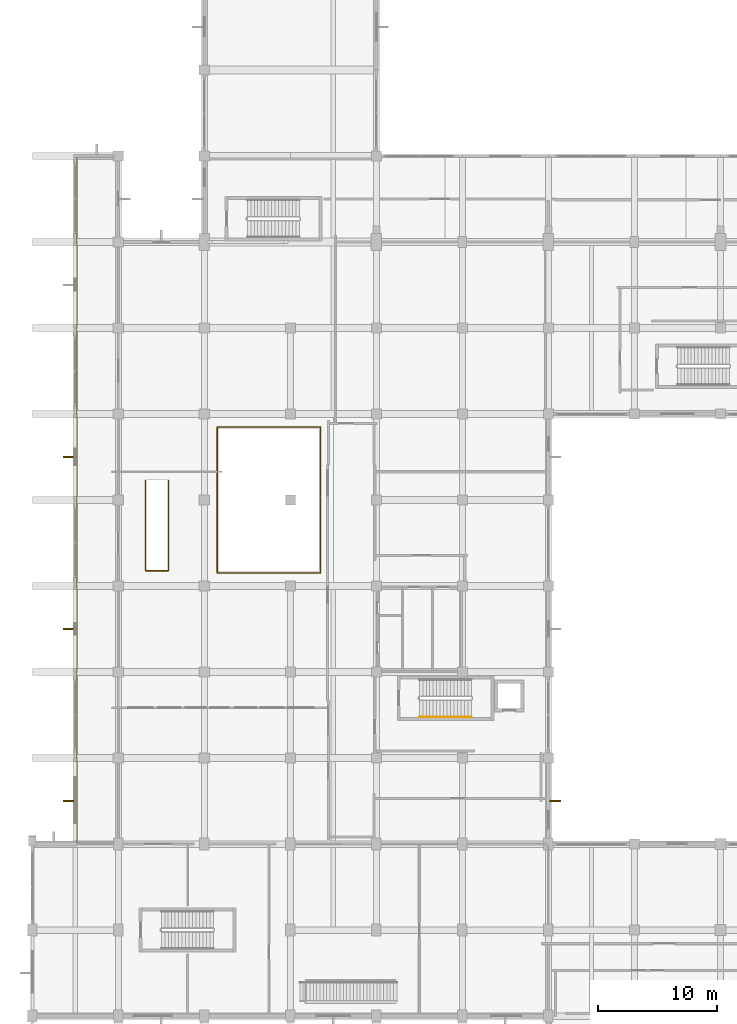
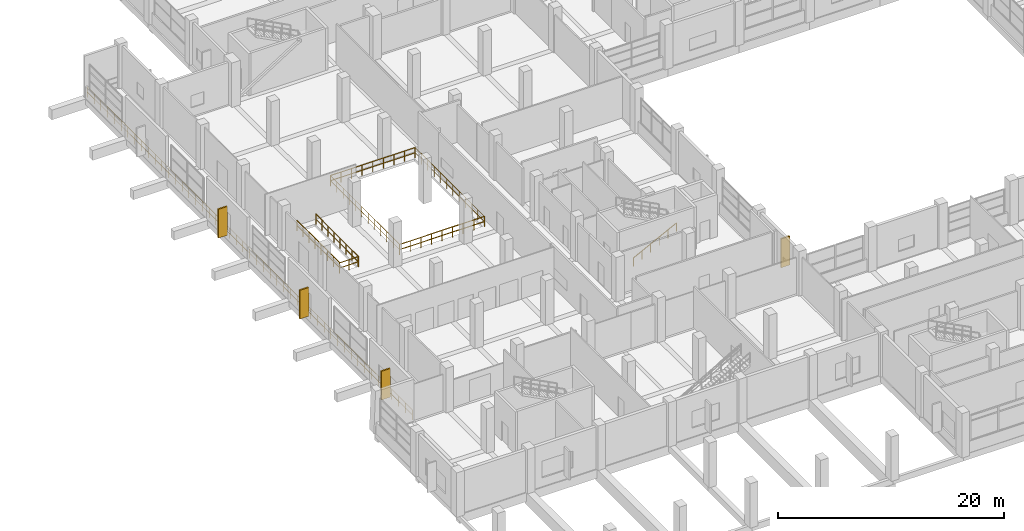
# One storey, part 172 of 181: 9 railings, 4 shading devices.
"""IFC4 building model written with IfcOpenShell, lengths in metres."""

from ifc_helpers import new_model, si_unit, direction, frame, origin, origin_2d, place, context, subcontext, project, spatial, rectangle, circle, extrude, material, type_object, element, save


model = new_model("IFC4")

# Units and contexts
model_context = context("Model", 3, precision=1e-05, world=origin(), true_north=direction((0.0, 1.0)))
body_context = subcontext(model_context, "Body", "Model", "MODEL_VIEW")
ifc_project = project(units=[si_unit("LENGTHUNIT", "METRE"), si_unit("AREAUNIT", "SQUARE_METRE"), si_unit("VOLUMEUNIT", "CUBIC_METRE"), si_unit("PLANEANGLEUNIT", "RADIAN"), si_unit("MASSUNIT", "GRAM", prefix="KILO")], contexts=[model_context])

# Site, building, storey
site_placement = place(None, origin())
site = spatial("IfcSite", under=ifc_project, at=site_placement, CompositionType="ELEMENT")
building_placement = place(site_placement, origin())
building = spatial("IfcBuilding", under=site, at=building_placement, Name="Seraya Terrace Polytechnic", CompositionType="ELEMENT")
storey_placement = place(building_placement, frame((0.0, 0.0, 4.800048828125)))
storey = spatial("IfcBuildingStorey", under=building, at=storey_placement, Name="L01", CompositionType="ELEMENT", Elevation=4.800048828125)

# Shading devices
ifc_material_1 = material(Name="Precast concrete C40/50", Category="concrete")
shading_device_type = type_object("IfcShadingDeviceType", Name="BS-F1", PredefinedType="JALOUSIE", material=ifc_material_1)
for number, where, z_axis, x_axis, name in (
    (1, (3.02001953125, 32.39990234375, 0.449951171875), (0.0, 0.0, 1.0), (-1.0, 0.0, 0.0), "Precast concrete brise-soleil fin L01"),
    (2, (3.02001953125, 46.800048828125, 0.449951171875), (0.0, 0.0, 1.0), (-1.0, 0.0, 0.0), "Precast concrete brise-soleil fin L01"),
    (3, (3.02001953125, 61.199951171875, 0.449951171875), (0.0, 0.0, 1.0), (-1.0, 0.0, 0.0), "Precast concrete brise-soleil fin L01"),
    (4, (43.780029296875, 32.39990234375, 0.449951171875), (0.0, 0.0, 1.0), (1.0, 0.0, 0.0), "Precast concrete brise-soleil fin L01"),
):
    element("IfcShadingDevice", number, at=place(storey_placement, frame(where, z_axis=z_axis, x_axis=x_axis)), inside=storey, type_object=shading_device_type, Name=name, PredefinedType="JALOUSIE", context=body_context, shape_type="SweptSolid", body=[
        extrude(rectangle(XDim=0.89990234375, YDim=0.14990234375, at=origin_2d()), origin(), (0.0, 0.0, 1.0), 3.10009765625),
    ])

# Railings
ifc_material_2 = material(Name="Steel S355J2", Category="steel")
railing_type_1 = type_object("IfcRailingType", Name="GR-01", PredefinedType="GUARDRAIL", material=ifc_material_2)
railing_1_placement = place(storey_placement, frame((3.719970703125, 28.919921875, 0.0)))
element("IfcRailing", 5, at=railing_1_placement, inside=storey, type_object=railing_type_1, Name="Colonnade gallery guardrail GR-L01-COL-W", PredefinedType="GUARDRAIL", context=body_context, shape_type="SweptSolid", body=[
    extrude(circle(Radius=0.02392578125, at=origin_2d()), frame((0.0, 0.0, 1.10595703125), z_axis=(0.0, 1.0, 0.0), x_axis=(-1.0, 0.0, 0.0)), (0.0, 0.0, 1.0), 57.360107421875),
    extrude(circle(Radius=0.02392578125, at=origin_2d()), frame((0.0, 0.0, 0.550048828125), z_axis=(0.0, 1.0, 0.0), x_axis=(-1.0, 0.0, 0.0)), (0.0, 0.0, 1.0), 57.360107421875),
    extrude(circle(Radius=0.02099609375, at=origin_2d()), origin(), (0.0, 0.0, 1.0), 1.081787109375),
    extrude(circle(Radius=0.02099609375, at=origin_2d()), frame((0.0, 1.195068359375, 0.0)), (0.0, 0.0, 1.0), 1.081787109375),
    extrude(circle(Radius=0.02099609375, at=origin_2d()), frame((0.0, 2.389892578125, 0.0)), (0.0, 0.0, 1.0), 1.081787109375),
    extrude(circle(Radius=0.02099609375, at=origin_2d()), frame((0.0, 3.5849609375, 0.0)), (0.0, 0.0, 1.0), 1.081787109375),
    extrude(circle(Radius=0.02099609375, at=origin_2d()), frame((0.0, 4.780029296875, 0.0)), (0.0, 0.0, 1.0), 1.081787109375),
    extrude(circle(Radius=0.02099609375, at=origin_2d()), frame((0.0, 5.97509765625, 0.0)), (0.0, 0.0, 1.0), 1.081787109375),
    extrude(circle(Radius=0.02099609375, at=origin_2d()), frame((0.0, 7.169921875, 0.0)), (0.0, 0.0, 1.0), 1.081787109375),
    extrude(circle(Radius=0.02099609375, at=origin_2d()), frame((0.0, 8.364990234375, 0.0)), (0.0, 0.0, 1.0), 1.081787109375),
    extrude(circle(Radius=0.02099609375, at=origin_2d()), frame((0.0, 9.56005859375, 0.0)), (0.0, 0.0, 1.0), 1.081787109375),
    extrude(circle(Radius=0.02099609375, at=origin_2d()), frame((0.0, 10.755126953125, 0.0)), (0.0, 0.0, 1.0), 1.081787109375),
    extrude(circle(Radius=0.02099609375, at=origin_2d()), frame((0.0, 11.949951171875, 0.0)), (0.0, 0.0, 1.0), 1.081787109375),
    extrude(circle(Radius=0.02099609375, at=origin_2d()), frame((0.0, 13.14501953125, 0.0)), (0.0, 0.0, 1.0), 1.081787109375),
    extrude(circle(Radius=0.02099609375, at=origin_2d()), frame((0.0, 14.340087890625, 0.0)), (0.0, 0.0, 1.0), 1.081787109375),
    extrude(circle(Radius=0.02099609375, at=origin_2d()), frame((0.0, 15.534912109375, 0.0)), (0.0, 0.0, 1.0), 1.081787109375),
    extrude(circle(Radius=0.02099609375, at=origin_2d()), frame((0.0, 16.72998046875, 0.0)), (0.0, 0.0, 1.0), 1.081787109375),
    extrude(circle(Radius=0.02099609375, at=origin_2d()), frame((0.0, 17.925048828125, 0.0)), (0.0, 0.0, 1.0), 1.081787109375),
    extrude(circle(Radius=0.02099609375, at=origin_2d()), frame((0.0, 19.1201171875, 0.0)), (0.0, 0.0, 1.0), 1.081787109375),
    extrude(circle(Radius=0.02099609375, at=origin_2d()), frame((0.0, 20.31494140625, 0.0)), (0.0, 0.0, 1.0), 1.081787109375),
    extrude(circle(Radius=0.02099609375, at=origin_2d()), frame((0.0, 21.510009765625, 0.0)), (0.0, 0.0, 1.0), 1.081787109375),
    extrude(circle(Radius=0.02099609375, at=origin_2d()), frame((0.0, 22.705078125, 0.0)), (0.0, 0.0, 1.0), 1.081787109375),
    extrude(circle(Radius=0.02099609375, at=origin_2d()), frame((0.0, 23.900146484375, 0.0)), (0.0, 0.0, 1.0), 1.081787109375),
    extrude(circle(Radius=0.02099609375, at=origin_2d()), frame((0.0, 25.094970703125, 0.0)), (0.0, 0.0, 1.0), 1.081787109375),
    extrude(circle(Radius=0.02099609375, at=origin_2d()), frame((0.0, 26.2900390625, 0.0)), (0.0, 0.0, 1.0), 1.081787109375),
    extrude(circle(Radius=0.02099609375, at=origin_2d()), frame((0.0, 27.485107421875, 0.0)), (0.0, 0.0, 1.0), 1.081787109375),
    extrude(circle(Radius=0.02099609375, at=origin_2d()), frame((0.0, 28.68017578125, 0.0)), (0.0, 0.0, 1.0), 1.081787109375),
    extrude(circle(Radius=0.02099609375, at=origin_2d()), frame((0.0, 29.875, 0.0)), (0.0, 0.0, 1.0), 1.081787109375),
    extrude(circle(Radius=0.02099609375, at=origin_2d()), frame((0.0, 31.070068359375, 0.0)), (0.0, 0.0, 1.0), 1.081787109375),
    extrude(circle(Radius=0.02099609375, at=origin_2d()), frame((0.0, 32.26513671875, 0.0)), (0.0, 0.0, 1.0), 1.081787109375),
    extrude(circle(Radius=0.02099609375, at=origin_2d()), frame((0.0, 33.4599609375, 0.0)), (0.0, 0.0, 1.0), 1.081787109375),
    extrude(circle(Radius=0.02099609375, at=origin_2d()), frame((0.0, 34.655029296875, 0.0)), (0.0, 0.0, 1.0), 1.081787109375),
    extrude(circle(Radius=0.02099609375, at=origin_2d()), frame((0.0, 35.85009765625, 0.0)), (0.0, 0.0, 1.0), 1.081787109375),
    extrude(circle(Radius=0.02099609375, at=origin_2d()), frame((0.0, 37.045166015625, 0.0)), (0.0, 0.0, 1.0), 1.081787109375),
    extrude(circle(Radius=0.02099609375, at=origin_2d()), frame((0.0, 38.239990234375, 0.0)), (0.0, 0.0, 1.0), 1.081787109375),
    extrude(circle(Radius=0.02099609375, at=origin_2d()), frame((0.0, 39.43505859375, 0.0)), (0.0, 0.0, 1.0), 1.081787109375),
    extrude(circle(Radius=0.02099609375, at=origin_2d()), frame((0.0, 40.630126953125, 0.0)), (0.0, 0.0, 1.0), 1.081787109375),
    extrude(circle(Radius=0.02099609375, at=origin_2d()), frame((0.0, 41.8251953125, 0.0)), (0.0, 0.0, 1.0), 1.081787109375),
    extrude(circle(Radius=0.02099609375, at=origin_2d()), frame((0.0, 43.02001953125, 0.0)), (0.0, 0.0, 1.0), 1.081787109375),
    extrude(circle(Radius=0.02099609375, at=origin_2d()), frame((0.0, 44.215087890625, 0.0)), (0.0, 0.0, 1.0), 1.081787109375),
    extrude(circle(Radius=0.02099609375, at=origin_2d()), frame((0.0, 45.41015625, 0.0)), (0.0, 0.0, 1.0), 1.081787109375),
    extrude(circle(Radius=0.02099609375, at=origin_2d()), frame((0.0, 46.60498046875, 0.0)), (0.0, 0.0, 1.0), 1.081787109375),
    extrude(circle(Radius=0.02099609375, at=origin_2d()), frame((0.0, 47.800048828125, 0.0)), (0.0, 0.0, 1.0), 1.081787109375),
    extrude(circle(Radius=0.02099609375, at=origin_2d()), frame((0.0, 48.9951171875, 0.0)), (0.0, 0.0, 1.0), 1.081787109375),
    extrude(circle(Radius=0.02099609375, at=origin_2d()), frame((0.0, 50.190185546875, 0.0)), (0.0, 0.0, 1.0), 1.081787109375),
    extrude(circle(Radius=0.02099609375, at=origin_2d()), frame((0.0, 51.385009765625, 0.0)), (0.0, 0.0, 1.0), 1.081787109375),
    extrude(circle(Radius=0.02099609375, at=origin_2d()), frame((0.0, 52.580078125, 0.0)), (0.0, 0.0, 1.0), 1.081787109375),
    extrude(circle(Radius=0.02099609375, at=origin_2d()), frame((0.0, 53.775146484375, 0.0)), (0.0, 0.0, 1.0), 1.081787109375),
    extrude(circle(Radius=0.02099609375, at=origin_2d()), frame((0.0, 54.97021484375, 0.0)), (0.0, 0.0, 1.0), 1.081787109375),
    extrude(circle(Radius=0.02099609375, at=origin_2d()), frame((0.0, 56.1650390625, 0.0)), (0.0, 0.0, 1.0), 1.081787109375),
    extrude(circle(Radius=0.02099609375, at=origin_2d()), frame((0.0, 57.360107421875, 0.0)), (0.0, 0.0, 1.0), 1.081787109375),
])
railing_type_2 = type_object("IfcRailingType", Name="GR-02", PredefinedType="GUARDRAIL", material=ifc_material_2)
railing_2_placement = place(storey_placement, frame((9.47998046875, 51.679931640625, 0.0)))
element("IfcRailing", 6, at=railing_2_placement, inside=storey, type_object=railing_type_2, Name="ST-12 top opening guard L01.1", PredefinedType="GUARDRAIL", context=body_context, shape_type="SweptSolid", body=[
    extrude(circle(Radius=0.02392578125, at=origin_2d()), frame((0.0, 0.0, 1.10595703125), z_axis=(1.0, 0.0, 0.0), x_axis=(0.0, 1.0, 0.0)), (0.0, 0.0, 1.0), 1.919921875),
    extrude(circle(Radius=0.02392578125, at=origin_2d()), frame((0.0, 0.0, 0.550048828125), z_axis=(1.0, 0.0, 0.0), x_axis=(0.0, 1.0, 0.0)), (0.0, 0.0, 1.0), 1.919921875),
    extrude(circle(Radius=0.02099609375, at=origin_2d()), origin(), (0.0, 0.0, 1.0), 1.081787109375),
    extrude(circle(Radius=0.02099609375, at=origin_2d()), frame((0.9599609375, 0.0, 0.0)), (0.0, 0.0, 1.0), 1.081787109375),
    extrude(circle(Radius=0.02099609375, at=origin_2d()), frame((1.919921875, 0.0, 0.0)), (0.0, 0.0, 1.0), 1.081787109375),
])
for number, where, name in (
    (7, (9.47998046875, 51.739990234375, 0.0), "ST-12 top opening guard L01.2"),
    (8, (11.39990234375, 51.739990234375, 0.0), "ST-12 top opening guard L01.3"),
):
    element("IfcRailing", number, at=place(storey_placement, frame(where)), inside=storey, type_object=railing_type_2, Name=name, PredefinedType="GUARDRAIL", context=body_context, shape_type="SweptSolid", body=[
        extrude(circle(Radius=0.02392578125, at=origin_2d()), frame((0.0, 0.0, 1.10595703125), z_axis=(0.0, 1.0, 0.0), x_axis=(-1.0, 0.0, 0.0)), (0.0, 0.0, 1.0), 7.47998046875),
        extrude(circle(Radius=0.02392578125, at=origin_2d()), frame((0.0, 0.0, 0.550048828125), z_axis=(0.0, 1.0, 0.0), x_axis=(-1.0, 0.0, 0.0)), (0.0, 0.0, 1.0), 7.47998046875),
        extrude(circle(Radius=0.02099609375, at=origin_2d()), origin(), (0.0, 0.0, 1.0), 1.081787109375),
        extrude(circle(Radius=0.02099609375, at=origin_2d()), frame((0.0, 1.068603515625, 0.0)), (0.0, 0.0, 1.0), 1.081787109375),
        extrude(circle(Radius=0.02099609375, at=origin_2d()), frame((0.0, 2.13720703125, 0.0)), (0.0, 0.0, 1.0), 1.081787109375),
        extrude(circle(Radius=0.02099609375, at=origin_2d()), frame((0.0, 3.205810546875, 0.0)), (0.0, 0.0, 1.0), 1.081787109375),
        extrude(circle(Radius=0.02099609375, at=origin_2d()), frame((0.0, 4.274169921875, 0.0)), (0.0, 0.0, 1.0), 1.081787109375),
        extrude(circle(Radius=0.02099609375, at=origin_2d()), frame((0.0, 5.3427734375, 0.0)), (0.0, 0.0, 1.0), 1.081787109375),
        extrude(circle(Radius=0.02099609375, at=origin_2d()), frame((0.0, 6.411376953125, 0.0)), (0.0, 0.0, 1.0), 1.081787109375),
        extrude(circle(Radius=0.02099609375, at=origin_2d()), frame((0.0, 7.47998046875, 0.0)), (0.0, 0.0, 1.0), 1.081787109375),
    ])
for number, where, name in (
    (9, (15.47998046875, 51.47998046875, 0.0), "Atrium void perimeter guardrail VOID-FOYER-L01 S"),
    (10, (15.47998046875, 63.719970703125, 0.0), "Atrium void perimeter guardrail VOID-FOYER-L01 N"),
):
    element("IfcRailing", number, at=place(storey_placement, frame(where)), inside=storey, type_object=railing_type_2, Name=name, PredefinedType="GUARDRAIL", context=body_context, shape_type="SweptSolid", body=[
        extrude(circle(Radius=0.02392578125, at=origin_2d()), frame((0.0, 0.0, 1.10595703125), z_axis=(1.0, 0.0, 0.0), x_axis=(0.0, 1.0, 0.0)), (0.0, 0.0, 1.0), 8.64013671875),
        extrude(circle(Radius=0.02392578125, at=origin_2d()), frame((0.0, 0.0, 0.550048828125), z_axis=(1.0, 0.0, 0.0), x_axis=(0.0, 1.0, 0.0)), (0.0, 0.0, 1.0), 8.64013671875),
        extrude(circle(Radius=0.02099609375, at=origin_2d()), origin(), (0.0, 0.0, 1.0), 1.081787109375),
        extrude(circle(Radius=0.02099609375, at=origin_2d()), frame((1.080078125, 0.0, 0.0)), (0.0, 0.0, 1.0), 1.081787109375),
        extrude(circle(Radius=0.02099609375, at=origin_2d()), frame((2.16015625, 0.0, 0.0)), (0.0, 0.0, 1.0), 1.081787109375),
        extrude(circle(Radius=0.02099609375, at=origin_2d()), frame((3.239990234375, 0.0, 0.0)), (0.0, 0.0, 1.0), 1.081787109375),
        extrude(circle(Radius=0.02099609375, at=origin_2d()), frame((4.320068359375, 0.0, 0.0)), (0.0, 0.0, 1.0), 1.081787109375),
        extrude(circle(Radius=0.02099609375, at=origin_2d()), frame((5.400146484375, 0.0, 0.0)), (0.0, 0.0, 1.0), 1.081787109375),
        extrude(circle(Radius=0.02099609375, at=origin_2d()), frame((6.47998046875, 0.0, 0.0)), (0.0, 0.0, 1.0), 1.081787109375),
        extrude(circle(Radius=0.02099609375, at=origin_2d()), frame((7.56005859375, 0.0, 0.0)), (0.0, 0.0, 1.0), 1.081787109375),
        extrude(circle(Radius=0.02099609375, at=origin_2d()), frame((8.64013671875, 0.0, 0.0)), (0.0, 0.0, 1.0), 1.081787109375),
    ])
railing_3_placement = place(storey_placement, frame((15.47998046875, 51.5400390625, 0.0)))
element("IfcRailing", 11, at=railing_3_placement, inside=storey, type_object=railing_type_2, Name="Atrium void perimeter guardrail VOID-FOYER-L01 W", PredefinedType="GUARDRAIL", context=body_context, shape_type="SweptSolid", body=[
    extrude(circle(Radius=0.02392578125, at=origin_2d()), frame((0.0, 0.0, 1.10595703125), z_axis=(0.0, 1.0, 0.0), x_axis=(-1.0, 0.0, 0.0)), (0.0, 0.0, 1.0), 12.119873046875),
    extrude(circle(Radius=0.02392578125, at=origin_2d()), frame((0.0, 0.0, 0.550048828125), z_axis=(0.0, 1.0, 0.0), x_axis=(-1.0, 0.0, 0.0)), (0.0, 0.0, 1.0), 12.119873046875),
    extrude(circle(Radius=0.02099609375, at=origin_2d()), origin(), (0.0, 0.0, 1.0), 1.081787109375),
    extrude(circle(Radius=0.02099609375, at=origin_2d()), frame((0.0, 1.101806640625, 0.0)), (0.0, 0.0, 1.0), 1.081787109375),
    extrude(circle(Radius=0.02099609375, at=origin_2d()), frame((0.0, 2.20361328125, 0.0)), (0.0, 0.0, 1.0), 1.081787109375),
    extrude(circle(Radius=0.02099609375, at=origin_2d()), frame((0.0, 3.305419921875, 0.0)), (0.0, 0.0, 1.0), 1.081787109375),
    extrude(circle(Radius=0.02099609375, at=origin_2d()), frame((0.0, 4.4072265625, 0.0)), (0.0, 0.0, 1.0), 1.081787109375),
    extrude(circle(Radius=0.02099609375, at=origin_2d()), frame((0.0, 5.509033203125, 0.0)), (0.0, 0.0, 1.0), 1.081787109375),
    extrude(circle(Radius=0.02099609375, at=origin_2d()), frame((0.0, 6.61083984375, 0.0)), (0.0, 0.0, 1.0), 1.081787109375),
    extrude(circle(Radius=0.02099609375, at=origin_2d()), frame((0.0, 7.712646484375, 0.0)), (0.0, 0.0, 1.0), 1.081787109375),
    extrude(circle(Radius=0.02099609375, at=origin_2d()), frame((0.0, 8.814453125, 0.0)), (0.0, 0.0, 1.0), 1.081787109375),
    extrude(circle(Radius=0.02099609375, at=origin_2d()), frame((0.0, 9.916259765625, 0.0)), (0.0, 0.0, 1.0), 1.081787109375),
    extrude(circle(Radius=0.02099609375, at=origin_2d()), frame((0.0, 11.01806640625, 0.0)), (0.0, 0.0, 1.0), 1.081787109375),
    extrude(circle(Radius=0.02099609375, at=origin_2d()), frame((0.0, 12.119873046875, 0.0)), (0.0, 0.0, 1.0), 1.081787109375),
])
railing_4_placement = place(storey_placement, frame((24.1201171875, 51.5400390625, 0.0)))
element("IfcRailing", 12, at=railing_4_placement, inside=storey, type_object=railing_type_2, Name="Atrium void perimeter guardrail VOID-FOYER-L01 E", PredefinedType="GUARDRAIL", context=body_context, shape_type="SweptSolid", body=[
    extrude(circle(Radius=0.02392578125, at=origin_2d()), frame((0.0, 0.0, 1.10595703125), z_axis=(0.0, 1.0, 0.0), x_axis=(-1.0, 0.0, 0.0)), (0.0, 0.0, 1.0), 12.119873046875),
    extrude(circle(Radius=0.02392578125, at=origin_2d()), frame((0.0, 0.0, 0.550048828125), z_axis=(0.0, 1.0, 0.0), x_axis=(-1.0, 0.0, 0.0)), (0.0, 0.0, 1.0), 12.119873046875),
    extrude(circle(Radius=0.02099609375, at=origin_2d()), origin(), (0.0, 0.0, 1.0), 1.081787109375),
    extrude(circle(Radius=0.02099609375, at=origin_2d()), frame((0.0, 1.101806640625, 0.0)), (0.0, 0.0, 1.0), 1.081787109375),
    extrude(circle(Radius=0.02099609375, at=origin_2d()), frame((0.0, 2.20361328125, 0.0)), (0.0, 0.0, 1.0), 1.081787109375),
    extrude(circle(Radius=0.02099609375, at=origin_2d()), frame((0.0, 3.305419921875, 0.0)), (0.0, 0.0, 1.0), 1.081787109375),
    extrude(circle(Radius=0.02099609375, at=origin_2d()), frame((0.0, 4.4072265625, 0.0)), (0.0, 0.0, 1.0), 1.081787109375),
    extrude(circle(Radius=0.02099609375, at=origin_2d()), frame((0.0, 5.509033203125, 0.0)), (0.0, 0.0, 1.0), 1.081787109375),
    extrude(circle(Radius=0.02099609375, at=origin_2d()), frame((0.0, 6.61083984375, 0.0)), (0.0, 0.0, 1.0), 1.081787109375),
    extrude(circle(Radius=0.02099609375, at=origin_2d()), frame((0.0, 7.712646484375, 0.0)), (0.0, 0.0, 1.0), 1.081787109375),
    extrude(circle(Radius=0.02099609375, at=origin_2d()), frame((0.0, 8.814453125, 0.0)), (0.0, 0.0, 1.0), 1.081787109375),
    extrude(circle(Radius=0.02099609375, at=origin_2d()), frame((0.0, 9.916259765625, 0.0)), (0.0, 0.0, 1.0), 1.081787109375),
    extrude(circle(Radius=0.02099609375, at=origin_2d()), frame((0.0, 11.01806640625, 0.0)), (0.0, 0.0, 1.0), 1.081787109375),
    extrude(circle(Radius=0.02099609375, at=origin_2d()), frame((0.0, 12.119873046875, 0.0)), (0.0, 0.0, 1.0), 1.081787109375),
])
railing_type_3 = type_object("IfcRailingType", Name="HR-01", PredefinedType="HANDRAIL", material=ifc_material_2)
railing_5_placement = place(storey_placement, frame((32.39990234375, 39.449951171875, 0.14990234375)))
element("IfcRailing", 13, at=railing_5_placement, inside=storey, type_object=railing_type_3, Name="L01 ST-04 stair handrail 1", PredefinedType="HANDRAIL", context=body_context, shape_type="SweptSolid", body=[
    extrude(circle(Radius=0.02392578125, at=origin_2d()), frame((0.0, 0.0, 0.8759765625), z_axis=(0.888221851817, 0.0, 0.459414782038), x_axis=(0.0, 1.0, 0.0)), (0.0, 0.0, 1.0), 4.8974609375),
    extrude(circle(Radius=0.02099609375, at=origin_2d()), origin(), (0.0, 0.0, 1.0), 0.851806640625),
    extrude(circle(Radius=0.02099609375, at=origin_2d()), frame((0.8701171875, 0.0, 0.449951171875)), (0.0, 0.0, 1.0), 0.851806640625),
    extrude(circle(Radius=0.02099609375, at=origin_2d()), frame((1.739990234375, 0.0, 0.89990234375)), (0.0, 0.0, 1.0), 0.851806640625),
    extrude(circle(Radius=0.02099609375, at=origin_2d()), frame((2.610107421875, 0.0, 1.35009765625)), (0.0, 0.0, 1.0), 0.851806640625),
    extrude(circle(Radius=0.02099609375, at=origin_2d()), frame((3.47998046875, 0.0, 1.800048828125)), (0.0, 0.0, 1.0), 0.851806640625),
    extrude(circle(Radius=0.02099609375, at=origin_2d()), frame((4.35009765625, 0.0, 2.25)), (0.0, 0.0, 1.0), 0.851806640625),
])

save(model, "model.ifc")
